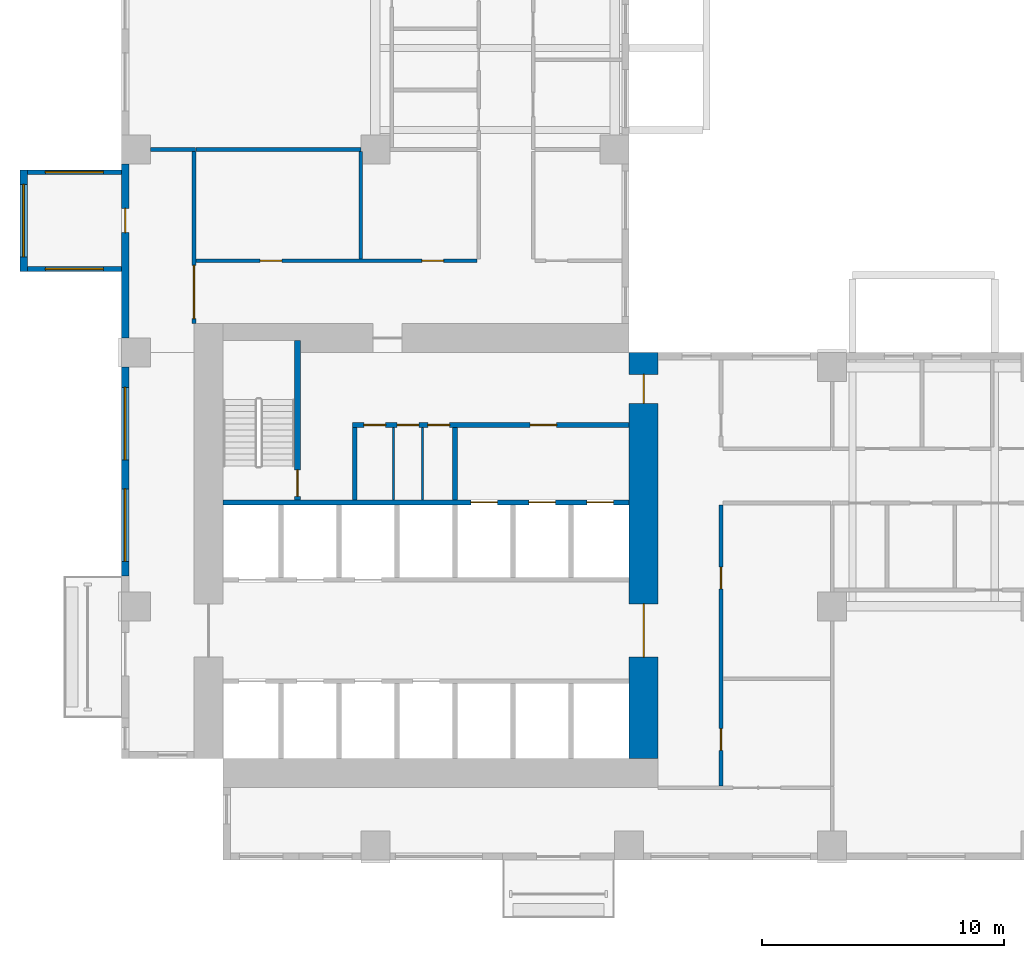
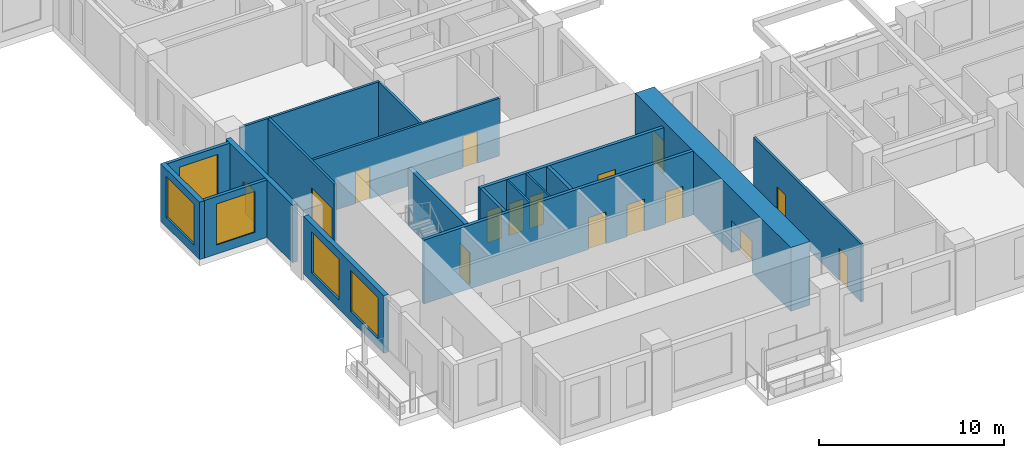
# One storey, part 3 of 14: 19 walls, 16 doors, 5 windows, 21 openings.
"""IFC4 building model written with IfcOpenShell, lengths in metres."""

from ifc_helpers import new_model, si_unit, direction, frame, frame_2d, origin, place, context, subcontext, project, spatial, rectangle, extrude, source, transform, mapped, material, layer, layer_set, type_object, element, fill, save


model = new_model("IFC4")

# Units and contexts
model_context = context("Model", 3, precision=1e-05, world=origin(), true_north=direction((0.0, 1.0)))
body_context = subcontext(model_context, "Body", "Model", "MODEL_VIEW")
ifc_project = project(units=[si_unit("LENGTHUNIT", "METRE"), si_unit("AREAUNIT", "SQUARE_METRE"), si_unit("VOLUMEUNIT", "CUBIC_METRE"), si_unit("PLANEANGLEUNIT", "RADIAN"), si_unit("MASSUNIT", "GRAM", prefix="KILO")], contexts=[model_context])

# Site, building, storey
site_placement = place(None, origin())
site = spatial("IfcSite", under=ifc_project, at=site_placement, CompositionType="ELEMENT")
building_placement = place(site_placement, origin())
building = spatial("IfcBuilding", under=site, at=building_placement, Name="Aurelian Terraces", CompositionType="ELEMENT")
storey_placement = place(building_placement, frame((0.0, 0.0, 86.7)))
storey = spatial("IfcBuildingStorey", under=building, at=storey_placement, Name="L18", CompositionType="ELEMENT", Elevation=86.7)

# Wall, openings, doors
ifc_material_1 = material(Name="Concrete fc' 83 MPa", Category="concrete")
ifc_layer_1 = layer(ifc_material_1, 1.2)
ifc_layer_set_1 = layer_set([ifc_layer_1], Name="CORE WALL 1200 FC83")
wall_type_1 = type_object("IfcWallType", Name="CORE WALL 1200 FC83", PredefinedType="SHEAR", material=ifc_layer_set_1)
shared_shape_1 = source(origin(), body_context, "Body", "SweptSolid", [
    extrude(rectangle(XDim=16.8, YDim=1.2, at=frame_2d((8.4, 0.0))), origin(), (0.0, 0.0, 1.0), 4.2),
])
wall_1_placement = place(storey_placement, frame((21.6, 4.2, 0.0), z_axis=(0.0, 0.0, 1.0), x_axis=(0.0, 1.0, 0.0)))
wall_1 = element("IfcWall", 1, at=wall_1_placement, inside=storey, type_object=wall_type_1, Name="Core wall E L18", PredefinedType="SHEAR", context=body_context, shape_type="MappedRepresentation", body=[
    mapped(shared_shape_1, transform((0.0, 0.0, 0.0), scale=1.0)),
])
shared_shape_2 = source(origin(), body_context, "Body", "SweptSolid", [
    extrude(rectangle(XDim=2.2, YDim=2.1, at=frame_2d((1.1, 1.05))), frame((0.0, 0.61, 0.0), z_axis=(0.0, -1.0, 0.0), x_axis=(1.0, 0.0, 0.0)), (0.0, 0.0, 1.0), 1.22),
])
opening_1_placement = place(wall_1_placement, frame((4.2, 0.0, 0.0)))
opening_1 = element("IfcOpeningElement", 2, at=opening_1_placement, cuts=wall_1, Name="Opening 62121", PredefinedType="OPENING", context=body_context, shape_type="MappedRepresentation", body=[
    mapped(shared_shape_2, transform((0.0, 0.0, 0.0), scale=1.0)),
])
shared_shape_3 = source(origin(), body_context, "Body", "SweptSolid", [
    extrude(rectangle(XDim=1.2, YDim=2.1, at=frame_2d((0.6, 1.05))), frame((0.0, 0.61, 0.0), z_axis=(0.0, -1.0, 0.0), x_axis=(1.0, 0.0, 0.0)), (0.0, 0.0, 1.0), 1.22),
])
opening_2_placement = place(wall_1_placement, frame((14.7, 0.0, 0.0)))
opening_2 = element("IfcOpeningElement", 3, at=opening_2_placement, cuts=wall_1, Name="Opening 62124", PredefinedType="OPENING", context=body_context, shape_type="MappedRepresentation", body=[
    mapped(shared_shape_3, transform((0.0, 0.0, 0.0), scale=1.0)),
])
ifc_material_2 = material(Name="Steel door leaf", Category="steel")
door_type_1 = type_object("IfcDoorType", Name="Core fire door 1200x2100", OperationType="SINGLE_SWING_LEFT", PredefinedType="DOOR", material=ifc_material_2)
shared_shape_4 = source(origin(), body_context, "Body", "SweptSolid", [
    extrude(rectangle(XDim=1.2, YDim=2.1, at=frame_2d((0.6, 1.05))), frame((0.0, 0.025, 0.0), z_axis=(0.0, -1.0, 0.0), x_axis=(1.0, 0.0, 0.0)), (0.0, 0.0, 1.0), 0.05),
])
door_1_placement = place(opening_2_placement, origin())
door_1 = element("IfcDoor", 4, at=door_1_placement, inside=storey, type_object=door_type_1, Name="Core door 62124", OperationType="SINGLE_SWING_LEFT", OverallHeight=2.1, OverallWidth=1.2, PredefinedType="DOOR", context=body_context, shape_type="MappedRepresentation", body=[
    mapped(shared_shape_4, transform((0.0, 0.0, 0.0), scale=1.0)),
])
fill(opening_2, door_1)
door_type_2 = type_object("IfcDoorType", Name="Core double door 2200x2100", OperationType="DOUBLE_DOOR_SINGLE_SWING", PredefinedType="DOOR", material=ifc_material_2)
shared_shape_5 = source(origin(), body_context, "Body", "SweptSolid", [
    extrude(rectangle(XDim=2.2, YDim=2.1, at=frame_2d((1.1, 1.05))), frame((0.0, 0.025, 0.0), z_axis=(0.0, -1.0, 0.0), x_axis=(1.0, 0.0, 0.0)), (0.0, 0.0, 1.0), 0.05),
])
door_2_placement = place(opening_1_placement, origin())
door_2 = element("IfcDoor", 5, at=door_2_placement, inside=storey, type_object=door_type_2, Name="Core door 62121", OperationType="DOUBLE_DOOR_SINGLE_SWING", OverallHeight=2.1, OverallWidth=2.2, PredefinedType="DOOR", context=body_context, shape_type="MappedRepresentation", body=[
    mapped(shared_shape_5, transform((0.0, 0.0, 0.0), scale=1.0)),
])
fill(opening_1, door_2)

# Wall, opening, door
ifc_material_3 = material(Name="Terracotta rainscreen cladding", Category="masonry")
ifc_layer_2 = layer(ifc_material_3, 0.3)
ifc_layer_set_2 = layer_set([ifc_layer_2], Name="EW-300")
wall_type_2 = type_object("IfcWallType", Name="EW-300", PredefinedType="STANDARD", material=ifc_layer_set_2)
shared_shape_6 = source(origin(), body_context, "Body", "SweptSolid", [
    extrude(rectangle(XDim=7.2, YDim=0.3, at=frame_2d((3.6, 0.0))), origin(), (0.0, 0.0, 1.0), 3.8),
])
wall_2_placement = place(storey_placement, frame((0.15, 28.8, 0.0), z_axis=(0.0, 0.0, 1.0), x_axis=(0.0, -1.0, 0.0)))
wall_2 = element("IfcWall", 6, at=wall_2_placement, inside=storey, type_object=wall_type_2, Name="External wall L18 F12.31", PredefinedType="STANDARD", context=body_context, shape_type="MappedRepresentation", body=[
    mapped(shared_shape_6, transform((0.0, 0.0, 0.0), scale=1.0)),
])
shared_shape_7 = source(origin(), body_context, "Body", "SweptSolid", [
    extrude(rectangle(XDim=1.0, YDim=2.1, at=frame_2d((0.5, 1.05))), frame((0.0, 0.16, 0.0), z_axis=(0.0, -1.0, 0.0), x_axis=(1.0, 0.0, 0.0)), (0.0, 0.0, 1.0), 0.32),
])
opening_3_placement = place(wall_2_placement, frame((1.84, 0.0, 0.0)))
opening_3 = element("IfcOpeningElement", 7, at=opening_3_placement, cuts=wall_2, Name="Opening 818003", PredefinedType="OPENING", context=body_context, shape_type="MappedRepresentation", body=[
    mapped(shared_shape_7, transform((0.0, 0.0, 0.0), scale=1.0)),
])
ifc_material_4 = material(Name="Timber door leaf", Category="wood")
door_type_3 = type_object("IfcDoorType", Name="Room door 1000x2100 left", OperationType="SINGLE_SWING_LEFT", PredefinedType="DOOR", material=ifc_material_4)
shared_shape_8 = source(origin(), body_context, "Body", "SweptSolid", [
    extrude(rectangle(XDim=1.0, YDim=2.1, at=frame_2d((0.5, 1.05))), frame((0.0, 0.025, 0.0), z_axis=(0.0, -1.0, 0.0), x_axis=(1.0, 0.0, 0.0)), (0.0, 0.0, 1.0), 0.05),
])
door_3_placement = place(opening_3_placement, origin())
door_3 = element("IfcDoor", 8, at=door_3_placement, inside=storey, type_object=door_type_3, Name="Door 818003", OperationType="SINGLE_SWING_LEFT", OverallHeight=2.1, OverallWidth=1.0, PredefinedType="DOOR", context=body_context, shape_type="MappedRepresentation", body=[
    mapped(shared_shape_8, transform((0.0, 0.0, 0.0), scale=1.0)),
])
fill(opening_3, door_3)

# Wall, opening, window
ifc_material_5 = material(Name="Concrete fc' 40 MPa", Category="concrete")
ifc_layer_3 = layer(ifc_material_5, 0.2)
ifc_layer_set_3 = layer_set([ifc_layer_3], Name="BOX BEARING WALL 200")
wall_type_3 = type_object("IfcWallType", Name="BOX BEARING WALL 200", PredefinedType="SOLIDWALL", material=ifc_layer_set_3)
shared_shape_9 = source(origin(), body_context, "Body", "SweptSolid", [
    extrude(rectangle(XDim=3.9, YDim=0.2, at=frame_2d((1.95, 0.0))), origin(), (0.0, 0.0, 1.0), 3.79),
])
wall_3_placement = place(storey_placement, frame((0.0, 28.46, 0.0), z_axis=(0.0, 0.0, 1.0), x_axis=(-1.0, 0.0, 0.0)))
wall_3 = element("IfcWall", 9, at=wall_3_placement, inside=storey, type_object=wall_type_3, Name="Box return L18 J24.1", PredefinedType="SOLIDWALL", context=body_context, shape_type="MappedRepresentation", body=[
    mapped(shared_shape_9, transform((0.0, 0.0, 0.0), scale=1.0)),
])
shared_shape_10 = source(origin(), body_context, "Body", "SweptSolid", [
    extrude(rectangle(XDim=2.4, YDim=2.7, at=frame_2d((1.2, 1.35))), frame((0.0, 0.11, 0.0), z_axis=(0.0, -1.0, 0.0), x_axis=(1.0, 0.0, 0.0)), (0.0, 0.0, 1.0), 0.22),
])
opening_4_placement = place(wall_3_placement, frame((0.75, 0.0, 0.6)))
opening_4 = element("IfcOpeningElement", 10, at=opening_4_placement, cuts=wall_3, Name="Opening W2427", PredefinedType="OPENING", context=body_context, shape_type="MappedRepresentation", body=[
    mapped(shared_shape_10, transform((0.0, 0.0, 0.0), scale=1.0)),
])
ifc_material_6 = material(Name="Clear glazing", Category="glass")
window_type_1 = type_object("IfcWindowType", Name="W-2400x2700", PartitioningType="SINGLE_PANEL", PredefinedType="WINDOW", material=ifc_material_6)
shared_shape_11 = source(origin(), body_context, "Body", "SweptSolid", [
    extrude(rectangle(XDim=2.4, YDim=2.7, at=frame_2d((1.2, 1.35))), frame((0.0, 0.03, 0.0), z_axis=(0.0, -1.0, 0.0), x_axis=(1.0, 0.0, 0.0)), (0.0, 0.0, 1.0), 0.06),
])
window_1_placement = place(opening_4_placement, origin())
window_1 = element("IfcWindow", 11, at=window_1_placement, inside=storey, type_object=window_type_1, Name="Window L18 J24-S1", OverallHeight=2.7, OverallWidth=2.4, PartitioningType="SINGLE_PANEL", PredefinedType="WINDOW", context=body_context, shape_type="MappedRepresentation", body=[
    mapped(shared_shape_11, transform((0.0, 0.0, 0.0), scale=1.0)),
])
fill(opening_4, window_1)

wall_4_placement = place(storey_placement, frame((0.0, 24.46, 0.0), z_axis=(0.0, 0.0, 1.0), x_axis=(-1.0, 0.0, 0.0)))
wall_4 = element("IfcWall", 12, at=wall_4_placement, inside=storey, type_object=wall_type_3, Name="Box return L18 J24.2", PredefinedType="SOLIDWALL", context=body_context, shape_type="MappedRepresentation", body=[
    mapped(shared_shape_9, transform((0.0, 0.0, 0.0), scale=1.0)),
])
opening_5_placement = place(wall_4_placement, frame((0.75, 0.0, 0.6)))
opening_5 = element("IfcOpeningElement", 13, at=opening_5_placement, cuts=wall_4, Name="Opening W2427", PredefinedType="OPENING", context=body_context, shape_type="MappedRepresentation", body=[
    mapped(shared_shape_10, transform((0.0, 0.0, 0.0), scale=1.0)),
])
window_2_placement = place(opening_5_placement, origin())
window_2 = element("IfcWindow", 14, at=window_2_placement, inside=storey, type_object=window_type_1, Name="Window L18 J24-S2", OverallHeight=2.7, OverallWidth=2.4, PartitioningType="SINGLE_PANEL", PredefinedType="WINDOW", context=body_context, shape_type="MappedRepresentation", body=[
    mapped(shared_shape_11, transform((0.0, 0.0, 0.0), scale=1.0)),
])
fill(opening_5, window_2)

ifc_layer_4 = layer(ifc_material_5, 0.3)
ifc_layer_set_4 = layer_set([ifc_layer_4], Name="BOX BEARING WALL 300")
wall_type_4 = type_object("IfcWallType", Name="BOX BEARING WALL 300", PredefinedType="SOLIDWALL", material=ifc_layer_set_4)
shared_shape_12 = source(origin(), body_context, "Body", "SweptSolid", [
    extrude(rectangle(XDim=4.2, YDim=0.3, at=frame_2d((2.1, 0.0))), origin(), (0.0, 0.0, 1.0), 3.79),
])
wall_5_placement = place(storey_placement, frame((-4.05, 28.56, 0.0), z_axis=(0.0, 0.0, 1.0), x_axis=(0.0, -1.0, 0.0)))
wall_5 = element("IfcWall", 15, at=wall_5_placement, inside=storey, type_object=wall_type_4, Name="Box wall L18 J24", PredefinedType="SOLIDWALL", context=body_context, shape_type="MappedRepresentation", body=[
    mapped(shared_shape_12, transform((0.0, 0.0, 0.0), scale=1.0)),
])
shared_shape_13 = source(origin(), body_context, "Body", "SweptSolid", [
    extrude(rectangle(XDim=3.0, YDim=2.7, at=frame_2d((1.5, 1.35))), frame((0.0, 0.16, 0.0), z_axis=(0.0, -1.0, 0.0), x_axis=(1.0, 0.0, 0.0)), (0.0, 0.0, 1.0), 0.32),
])
opening_6_placement = place(wall_5_placement, frame((0.6, 0.0, 0.6)))
opening_6 = element("IfcOpeningElement", 16, at=opening_6_placement, cuts=wall_5, Name="Opening W3027", PredefinedType="OPENING", context=body_context, shape_type="MappedRepresentation", body=[
    mapped(shared_shape_13, transform((0.0, 0.0, 0.0), scale=1.0)),
])
window_type_2 = type_object("IfcWindowType", Name="W-3000x2700", PartitioningType="SINGLE_PANEL", PredefinedType="WINDOW", material=ifc_material_6)
shared_shape_14 = source(origin(), body_context, "Body", "SweptSolid", [
    extrude(rectangle(XDim=3.0, YDim=2.7, at=frame_2d((1.5, 1.35))), frame((0.0, 0.03, 0.0), z_axis=(0.0, -1.0, 0.0), x_axis=(1.0, 0.0, 0.0)), (0.0, 0.0, 1.0), 0.06),
])
window_3_placement = place(opening_6_placement, origin())
window_3 = element("IfcWindow", 17, at=window_3_placement, inside=storey, type_object=window_type_2, Name="Window L18 J24-F1", OverallHeight=2.7, OverallWidth=3.0, PartitioningType="SINGLE_PANEL", PredefinedType="WINDOW", context=body_context, shape_type="MappedRepresentation", body=[
    mapped(shared_shape_14, transform((0.0, 0.0, 0.0), scale=1.0)),
])
fill(opening_6, window_3)

# Wall, openings, windows
shared_shape_15 = source(origin(), body_context, "Body", "SweptSolid", [
    extrude(rectangle(XDim=8.64, YDim=0.3, at=frame_2d((4.32, 0.0))), origin(), (0.0, 0.0, 1.0), 3.8),
])
wall_6_placement = place(storey_placement, frame((0.15, 20.4, 0.0), z_axis=(0.0, 0.0, 1.0), x_axis=(0.0, -1.0, 0.0)))
wall_6 = element("IfcWall", 18, at=wall_6_placement, inside=storey, type_object=wall_type_2, Name="External wall L18 F12.31", PredefinedType="STANDARD", context=body_context, shape_type="MappedRepresentation", body=[
    mapped(shared_shape_15, transform((0.0, 0.0, 0.0), scale=1.0)),
])
opening_7_placement = place(wall_6_placement, frame((0.84, 0.0, 0.6)))
opening_7 = element("IfcOpeningElement", 19, at=opening_7_placement, cuts=wall_6, Name="Opening W3027", PredefinedType="OPENING", context=body_context, shape_type="MappedRepresentation", body=[
    mapped(shared_shape_13, transform((0.0, 0.0, 0.0), scale=1.0)),
])
opening_8_placement = place(wall_6_placement, frame((5.04, 0.0, 0.6)))
opening_8 = element("IfcOpeningElement", 20, at=opening_8_placement, cuts=wall_6, Name="Opening W3027", PredefinedType="OPENING", context=body_context, shape_type="MappedRepresentation", body=[
    mapped(shared_shape_13, transform((0.0, 0.0, 0.0), scale=1.0)),
])
window_4_placement = place(opening_7_placement, origin())
window_4 = element("IfcWindow", 21, at=window_4_placement, inside=storey, type_object=window_type_2, Name="Window L18 L18-F12-31-8", OverallHeight=2.7, OverallWidth=3.0, PartitioningType="SINGLE_PANEL", PredefinedType="WINDOW", context=body_context, shape_type="MappedRepresentation", body=[
    mapped(shared_shape_14, transform((0.0, 0.0, 0.0), scale=1.0)),
])
fill(opening_7, window_4)
window_5_placement = place(opening_8_placement, origin())
window_5 = element("IfcWindow", 22, at=window_5_placement, inside=storey, type_object=window_type_2, Name="Window L18 L18-F12-31-9", OverallHeight=2.7, OverallWidth=3.0, PartitioningType="SINGLE_PANEL", PredefinedType="WINDOW", context=body_context, shape_type="MappedRepresentation", body=[
    mapped(shared_shape_14, transform((0.0, 0.0, 0.0), scale=1.0)),
])
fill(opening_8, window_5)

# Wall, openings, doors
ifc_layer_5 = layer(ifc_material_5, 0.2)
ifc_layer_set_5 = layer_set([ifc_layer_5], Name="Lift shaft wall 200")
wall_type_5 = type_object("IfcWallType", Name="Lift shaft wall 200", PredefinedType="SOLIDWALL", material=ifc_layer_set_5)
shared_shape_16 = source(origin(), body_context, "Body", "SweptSolid", [
    extrude(rectangle(XDim=16.8, YDim=0.2, at=frame_2d((8.4, 0.0))), origin(), (0.0, 0.0, 1.0), 4.2),
])
wall_7_placement = place(storey_placement, frame((4.2, 14.8, 0.0), z_axis=(0.0, 0.0, 1.0), x_axis=(1.0, 0.0, 0.0)))
wall_7 = element("IfcWall", 23, at=wall_7_placement, inside=storey, type_object=wall_type_5, Name="L18 core wall CF-BB1", PredefinedType="SOLIDWALL", context=body_context, shape_type="MappedRepresentation", body=[
    mapped(shared_shape_16, transform((0.0, 0.0, 0.0), scale=1.0)),
])
shared_shape_17 = source(origin(), body_context, "Body", "SweptSolid", [
    extrude(rectangle(XDim=1.1, YDim=2.1, at=frame_2d((0.55, 1.05))), frame((0.0, 0.11, 0.0), z_axis=(0.0, -1.0, 0.0), x_axis=(1.0, 0.0, 0.0)), (0.0, 0.0, 1.0), 0.22),
])
opening_9_placement = place(wall_7_placement, frame((10.25, 0.0, 0.0)))
opening_9 = element("IfcOpeningElement", 24, at=opening_9_placement, cuts=wall_7, Name="Opening 62107", PredefinedType="OPENING", context=body_context, shape_type="MappedRepresentation", body=[
    mapped(shared_shape_17, transform((0.0, 0.0, 0.0), scale=1.0)),
])
opening_10_placement = place(wall_7_placement, frame((12.65, 0.0, 0.0)))
opening_10 = element("IfcOpeningElement", 25, at=opening_10_placement, cuts=wall_7, Name="Opening 62108", PredefinedType="OPENING", context=body_context, shape_type="MappedRepresentation", body=[
    mapped(shared_shape_17, transform((0.0, 0.0, 0.0), scale=1.0)),
])
opening_11_placement = place(wall_7_placement, frame((15.05, 0.0, 0.0)))
opening_11 = element("IfcOpeningElement", 26, at=opening_11_placement, cuts=wall_7, Name="Opening 62109", PredefinedType="OPENING", context=body_context, shape_type="MappedRepresentation", body=[
    mapped(shared_shape_17, transform((0.0, 0.0, 0.0), scale=1.0)),
])
ifc_material_7 = material(Name="Stainless steel", Category="steel")
door_type_4 = type_object("IfcDoorType", Name="Lift landing door 1100x2100", OperationType="SLIDING_TO_LEFT", PredefinedType="DOOR", material=ifc_material_7)
shared_shape_18 = source(origin(), body_context, "Body", "SweptSolid", [
    extrude(rectangle(XDim=1.1, YDim=2.1, at=frame_2d((0.55, 1.05))), frame((0.0, 0.025, 0.0), z_axis=(0.0, -1.0, 0.0), x_axis=(1.0, 0.0, 0.0)), (0.0, 0.0, 1.0), 0.05),
])
door_4_placement = place(opening_9_placement, origin())
door_4 = element("IfcDoor", 27, at=door_4_placement, inside=storey, type_object=door_type_4, Name="Lift landing door F1 L18", OperationType="SLIDING_TO_LEFT", OverallHeight=2.1, OverallWidth=1.1, PredefinedType="DOOR", context=body_context, shape_type="MappedRepresentation", body=[
    mapped(shared_shape_18, transform((0.0, 0.0, 0.0), scale=1.0)),
])
fill(opening_9, door_4)
door_5_placement = place(opening_10_placement, origin())
door_5 = element("IfcDoor", 28, at=door_5_placement, inside=storey, type_object=door_type_4, Name="Lift landing door F2 L18", OperationType="SLIDING_TO_LEFT", OverallHeight=2.1, OverallWidth=1.1, PredefinedType="DOOR", context=body_context, shape_type="MappedRepresentation", body=[
    mapped(shared_shape_18, transform((0.0, 0.0, 0.0), scale=1.0)),
])
fill(opening_10, door_5)
door_6_placement = place(opening_11_placement, origin())
door_6 = element("IfcDoor", 29, at=door_6_placement, inside=storey, type_object=door_type_4, Name="Lift landing door F3 L18", OperationType="SLIDING_TO_LEFT", OverallHeight=2.1, OverallWidth=1.1, PredefinedType="DOOR", context=body_context, shape_type="MappedRepresentation", body=[
    mapped(shared_shape_18, transform((0.0, 0.0, 0.0), scale=1.0)),
])
fill(opening_11, door_6)

# Walls
ifc_material_8 = material(Name="Gypsum board on steel studs", Category="steel")
ifc_layer_6 = layer(ifc_material_8, 0.2)
ifc_layer_set_6 = layer_set([ifc_layer_6], Name="Core partition 200")
wall_type_6 = type_object("IfcWallType", Name="Core partition 200", PredefinedType="PARTITIONING", material=ifc_layer_set_6)
shared_shape_19 = source(origin(), body_context, "Body", "SweptSolid", [
    extrude(rectangle(XDim=3.0, YDim=0.2, at=frame_2d((1.5, 0.0))), origin(), (0.0, 0.0, 1.0), 3.8),
])
for number, where, z_axis, x_axis, name in (
    (30, (9.65, 14.9, 0.0), (0.0, 0.0, 1.0), (0.0, 1.0, 0.0), "L18 core wall CP-VEST"),
    (31, (13.8, 14.9, 0.0), (0.0, 0.0, 1.0), (0.0, 1.0, 0.0), "L18 core wall CP-FFL"),
):
    element("IfcWall", number, at=place(storey_placement, frame(where, z_axis=z_axis, x_axis=x_axis)), inside=storey, type_object=wall_type_6, Name=name, PredefinedType="PARTITIONING", context=body_context, shape_type="MappedRepresentation", body=[
        mapped(shared_shape_19, transform((0.0, 0.0, 0.0), scale=1.0)),
    ])
ifc_layer_7 = layer(ifc_material_8, 0.1)
ifc_layer_set_7 = layer_set([ifc_layer_7], Name="Core partition 100")
wall_type_7 = type_object("IfcWallType", Name="Core partition 100", PredefinedType="PARTITIONING", material=ifc_layer_set_7)
shared_shape_20 = source(origin(), body_context, "Body", "SweptSolid", [
    extrude(rectangle(XDim=3.0, YDim=0.1, at=frame_2d((1.5, 0.0))), origin(), (0.0, 0.0, 1.0), 3.8),
])
for number, where, z_axis, x_axis, name in (
    (32, (11.25, 14.9, 0.0), (0.0, 0.0, 1.0), (0.0, 1.0, 0.0), "L18 core wall CP-SV1"),
    (33, (12.45, 14.9, 0.0), (0.0, 0.0, 1.0), (0.0, 1.0, 0.0), "L18 core wall CP-SV2"),
):
    element("IfcWall", number, at=place(storey_placement, frame(where, z_axis=z_axis, x_axis=x_axis)), inside=storey, type_object=wall_type_7, Name=name, PredefinedType="PARTITIONING", context=body_context, shape_type="MappedRepresentation", body=[
        mapped(shared_shape_20, transform((0.0, 0.0, 0.0), scale=1.0)),
    ])

# Wall, opening, door
ifc_layer_8 = layer(ifc_material_5, 0.25)
ifc_layer_set_8 = layer_set([ifc_layer_8], Name="Stair enclosure wall 250")
wall_type_8 = type_object("IfcWallType", Name="Stair enclosure wall 250", PredefinedType="SOLIDWALL", material=ifc_layer_set_8)
shared_shape_21 = source(origin(), body_context, "Body", "SweptSolid", [
    extrude(rectangle(XDim=6.6, YDim=0.25, at=frame_2d((3.3, 0.0))), origin(), (0.0, 0.0, 1.0), 3.8),
])
wall_8_placement = place(storey_placement, frame((7.275, 14.9, 0.0), z_axis=(0.0, 0.0, 1.0), x_axis=(0.0, 1.0, 0.0)))
wall_8 = element("IfcWall", 34, at=wall_8_placement, inside=storey, type_object=wall_type_8, Name="L18 core wall ST-S1-E", PredefinedType="SOLIDWALL", context=body_context, shape_type="MappedRepresentation", body=[
    mapped(shared_shape_21, transform((0.0, 0.0, 0.0), scale=1.0)),
])
shared_shape_22 = source(origin(), body_context, "Body", "SweptSolid", [
    extrude(rectangle(XDim=1.1, YDim=2.1, at=frame_2d((0.55, 1.05))), frame((0.0, 0.135, 0.0), z_axis=(0.0, -1.0, 0.0), x_axis=(1.0, 0.0, 0.0)), (0.0, 0.0, 1.0), 0.27),
])
opening_12_placement = place(wall_8_placement, frame((0.15, 0.0, 0.0)))
opening_12 = element("IfcOpeningElement", 35, at=opening_12_placement, cuts=wall_8, Name="Opening 62110", PredefinedType="OPENING", context=body_context, shape_type="MappedRepresentation", body=[
    mapped(shared_shape_22, transform((0.0, 0.0, 0.0), scale=1.0)),
])
door_type_5 = type_object("IfcDoorType", Name="Core fire door 1100x2100 right", OperationType="SINGLE_SWING_RIGHT", PredefinedType="DOOR", material=ifc_material_2)
door_7_placement = place(opening_12_placement, origin())
door_7 = element("IfcDoor", 36, at=door_7_placement, inside=storey, type_object=door_type_5, Name="Stair door 62110", OperationType="SINGLE_SWING_RIGHT", OverallHeight=2.1, OverallWidth=1.1, PredefinedType="DOOR", context=body_context, shape_type="MappedRepresentation", body=[
    mapped(shared_shape_18, transform((0.0, 0.0, 0.0), scale=1.0)),
])
fill(opening_12, door_7)

# Wall, openings, doors
shared_shape_23 = source(origin(), body_context, "Body", "SweptSolid", [
    extrude(rectangle(XDim=11.45, YDim=0.2, at=frame_2d((5.725, 0.0))), origin(), (0.0, 0.0, 1.0), 3.8),
])
wall_9_placement = place(storey_placement, frame((9.55, 18.0, 0.0), z_axis=(0.0, 0.0, 1.0), x_axis=(1.0, 0.0, 0.0)))
wall_9 = element("IfcWall", 37, at=wall_9_placement, inside=storey, type_object=wall_type_6, Name="L18 core wall CP-NORTH", PredefinedType="PARTITIONING", context=body_context, shape_type="MappedRepresentation", body=[
    mapped(shared_shape_23, transform((0.0, 0.0, 0.0), scale=1.0)),
])
shared_shape_24 = source(origin(), body_context, "Body", "SweptSolid", [
    extrude(rectangle(XDim=0.9, YDim=2.1, at=frame_2d((0.45, 1.05))), frame((0.0, 0.11, 0.0), z_axis=(0.0, -1.0, 0.0), x_axis=(1.0, 0.0, 0.0)), (0.0, 0.0, 1.0), 0.22),
])
opening_13_placement = place(wall_9_placement, frame((0.475, 0.0, 0.0)))
opening_13 = element("IfcOpeningElement", 38, at=opening_13_placement, cuts=wall_9, Name="Opening 62111", PredefinedType="OPENING", context=body_context, shape_type="MappedRepresentation", body=[
    mapped(shared_shape_24, transform((0.0, 0.0, 0.0), scale=1.0)),
])
opening_14_placement = place(wall_9_placement, frame((1.85, 0.0, 0.0)))
opening_14 = element("IfcOpeningElement", 39, at=opening_14_placement, cuts=wall_9, Name="Opening 62112", PredefinedType="OPENING", context=body_context, shape_type="MappedRepresentation", body=[
    mapped(shared_shape_24, transform((0.0, 0.0, 0.0), scale=1.0)),
])
opening_15_placement = place(wall_9_placement, frame((3.125, 0.0, 0.0)))
opening_15 = element("IfcOpeningElement", 40, at=opening_15_placement, cuts=wall_9, Name="Opening 62113", PredefinedType="OPENING", context=body_context, shape_type="MappedRepresentation", body=[
    mapped(shared_shape_24, transform((0.0, 0.0, 0.0), scale=1.0)),
])
opening_16_placement = place(wall_9_placement, frame((7.35, 0.0, 0.0)))
opening_16 = element("IfcOpeningElement", 41, at=opening_16_placement, cuts=wall_9, Name="Opening 62114", PredefinedType="OPENING", context=body_context, shape_type="MappedRepresentation", body=[
    mapped(shared_shape_17, transform((0.0, 0.0, 0.0), scale=1.0)),
])
door_type_6 = type_object("IfcDoorType", Name="Core service door 900x2100", OperationType="SINGLE_SWING_LEFT", PredefinedType="DOOR", material=ifc_material_2)
shared_shape_25 = source(origin(), body_context, "Body", "SweptSolid", [
    extrude(rectangle(XDim=0.9, YDim=2.1, at=frame_2d((0.45, 1.05))), frame((0.0, 0.025, 0.0), z_axis=(0.0, -1.0, 0.0), x_axis=(1.0, 0.0, 0.0)), (0.0, 0.0, 1.0), 0.05),
])
door_8_placement = place(opening_13_placement, origin())
door_8 = element("IfcDoor", 42, at=door_8_placement, inside=storey, type_object=door_type_6, Name="Room door 62111", OperationType="SINGLE_SWING_LEFT", OverallHeight=2.1, OverallWidth=0.9, PredefinedType="DOOR", context=body_context, shape_type="MappedRepresentation", body=[
    mapped(shared_shape_25, transform((0.0, 0.0, 0.0), scale=1.0)),
])
fill(opening_13, door_8)
door_type_7 = type_object("IfcDoorType", Name="Core riser door 900x2100 right", OperationType="SINGLE_SWING_RIGHT", PredefinedType="DOOR", material=ifc_material_2)
door_9_placement = place(opening_14_placement, origin())
door_9 = element("IfcDoor", 43, at=door_9_placement, inside=storey, type_object=door_type_7, Name="Room door 62112", OperationType="SINGLE_SWING_RIGHT", OverallHeight=2.1, OverallWidth=0.9, PredefinedType="DOOR", context=body_context, shape_type="MappedRepresentation", body=[
    mapped(shared_shape_25, transform((0.0, 0.0, 0.0), scale=1.0)),
])
fill(opening_14, door_9)
door_10_placement = place(opening_15_placement, origin())
door_10 = element("IfcDoor", 44, at=door_10_placement, inside=storey, type_object=door_type_6, Name="Room door 62113", OperationType="SINGLE_SWING_LEFT", OverallHeight=2.1, OverallWidth=0.9, PredefinedType="DOOR", context=body_context, shape_type="MappedRepresentation", body=[
    mapped(shared_shape_25, transform((0.0, 0.0, 0.0), scale=1.0)),
])
fill(opening_15, door_10)
door_11_placement = place(opening_16_placement, origin())
door_11 = element("IfcDoor", 45, at=door_11_placement, inside=storey, type_object=door_type_5, Name="Ff lobby door 62114", OperationType="SINGLE_SWING_RIGHT", OverallHeight=2.1, OverallWidth=1.1, PredefinedType="DOOR", context=body_context, shape_type="MappedRepresentation", body=[
    mapped(shared_shape_18, transform((0.0, 0.0, 0.0), scale=1.0)),
])
fill(opening_16, door_11)

# Walls
ifc_layer_9 = layer(ifc_material_8, 0.15)
ifc_layer_set_9 = layer_set([ifc_layer_9], Name="Partition 150")
wall_type_9 = type_object("IfcWallType", Name="Partition 150", PredefinedType="PARTITIONING", material=ifc_layer_set_9)
shared_shape_26 = source(origin(), body_context, "Body", "SweptSolid", [
    extrude(rectangle(XDim=6.826, YDim=0.15, at=frame_2d((3.413, 0.0))), origin(), (0.0, 0.0, 1.0), 3.8),
])
wall_10_placement = place(storey_placement, frame((9.901, 29.4, 0.0), z_axis=(0.0, 0.0, 1.0), x_axis=(-1.0, 0.0, 0.0)))
element("IfcWall", 46, at=wall_10_placement, inside=storey, type_object=wall_type_9, Name="Partition", PredefinedType="PARTITIONING", context=body_context, shape_type="MappedRepresentation", body=[
    mapped(shared_shape_26, transform((0.0, 0.0, 0.0), scale=1.0)),
])
shared_shape_27 = source(origin(), body_context, "Body", "SweptSolid", [
    extrude(rectangle(XDim=1.856, YDim=0.15, at=frame_2d((0.928, 0.0))), origin(), (0.0, 0.0, 1.0), 3.8),
])
wall_11_placement = place(storey_placement, frame((3.055, 29.4, 0.0), z_axis=(0.0, 0.0, 1.0), x_axis=(-1.0, 0.0, 0.0)))
element("IfcWall", 47, at=wall_11_placement, inside=storey, type_object=wall_type_9, Name="Partition", PredefinedType="PARTITIONING", context=body_context, shape_type="MappedRepresentation", body=[
    mapped(shared_shape_27, transform((0.0, 0.0, 0.0), scale=1.0)),
])

# Wall, opening, door
shared_shape_28 = source(origin(), body_context, "Body", "SweptSolid", [
    extrude(rectangle(XDim=7.125, YDim=0.15, at=frame_2d((3.5625, 0.0))), origin(), (0.0, 0.0, 1.0), 3.8),
])
wall_12_placement = place(storey_placement, frame((3.0, 29.325, 0.0), z_axis=(0.0, 0.0, 1.0), x_axis=(0.0, -1.0, 0.0)))
wall_12 = element("IfcWall", 48, at=wall_12_placement, inside=storey, type_object=wall_type_9, Name="Partition", PredefinedType="PARTITIONING", context=body_context, shape_type="MappedRepresentation", body=[
    mapped(shared_shape_28, transform((0.0, 0.0, 0.0), scale=1.0)),
])
shared_shape_29 = source(origin(), body_context, "Body", "SweptSolid", [
    extrude(rectangle(XDim=2.2, YDim=2.1, at=frame_2d((1.1, 1.05))), frame((0.0, 0.085, 0.0), z_axis=(0.0, -1.0, 0.0), x_axis=(1.0, 0.0, 0.0)), (0.0, 0.0, 1.0), 0.17),
])
opening_17_placement = place(wall_12_placement, frame((4.725, 0.0, 0.0)))
opening_17 = element("IfcOpeningElement", 49, at=opening_17_placement, cuts=wall_12, Name="Opening 718031", PredefinedType="OPENING", context=body_context, shape_type="MappedRepresentation", body=[
    mapped(shared_shape_29, transform((0.0, 0.0, 0.0), scale=1.0)),
])
door_type_8 = type_object("IfcDoorType", Name="Double room door 2200x2100", OperationType="DOUBLE_DOOR_SINGLE_SWING", PredefinedType="DOOR", material=ifc_material_4)
door_12_placement = place(opening_17_placement, origin())
door_12 = element("IfcDoor", 50, at=door_12_placement, inside=storey, type_object=door_type_8, Name="Door 718031", OperationType="DOUBLE_DOOR_SINGLE_SWING", OverallHeight=2.1, OverallWidth=2.2, PredefinedType="DOOR", context=body_context, shape_type="MappedRepresentation", body=[
    mapped(shared_shape_5, transform((0.0, 0.0, 0.0), scale=1.0)),
])
fill(opening_17, door_12)

# Wall
shared_shape_30 = source(origin(), body_context, "Body", "SweptSolid", [
    extrude(rectangle(XDim=4.45, YDim=0.15, at=frame_2d((2.225, 0.0))), origin(), (0.0, 0.0, 1.0), 3.8),
])
wall_13_placement = place(storey_placement, frame((9.9, 24.875, 0.0), z_axis=(0.0, 0.0, 1.0), x_axis=(0.0, 1.0, 0.0)))
element("IfcWall", 51, at=wall_13_placement, inside=storey, type_object=wall_type_9, Name="Partition", PredefinedType="PARTITIONING", context=body_context, shape_type="MappedRepresentation", body=[
    mapped(shared_shape_30, transform((0.0, 0.0, 0.0), scale=1.0)),
])

# Wall, openings, doors
shared_shape_31 = source(origin(), body_context, "Body", "SweptSolid", [
    extrude(rectangle(XDim=11.625, YDim=0.15, at=frame_2d((5.8125, 0.0))), origin(), (0.0, 0.0, 1.0), 3.8),
])
wall_14_placement = place(storey_placement, frame((24.8, 14.7, 0.0), z_axis=(0.0, 0.0, 1.0), x_axis=(0.0, -1.0, 0.0)))
wall_14 = element("IfcWall", 52, at=wall_14_placement, inside=storey, type_object=wall_type_9, Name="Partition", PredefinedType="PARTITIONING", context=body_context, shape_type="MappedRepresentation", body=[
    mapped(shared_shape_31, transform((0.0, 0.0, 0.0), scale=1.0)),
])
shared_shape_32 = source(origin(), body_context, "Body", "SweptSolid", [
    extrude(rectangle(XDim=0.9, YDim=2.1, at=frame_2d((0.45, 1.05))), frame((0.0, 0.085, 0.0), z_axis=(0.0, -1.0, 0.0), x_axis=(1.0, 0.0, 0.0)), (0.0, 0.0, 1.0), 0.17),
])
opening_18_placement = place(wall_14_placement, frame((9.2625, 0.0, 0.0)))
opening_18 = element("IfcOpeningElement", 53, at=opening_18_placement, cuts=wall_14, Name="Opening 718001", PredefinedType="OPENING", context=body_context, shape_type="MappedRepresentation", body=[
    mapped(shared_shape_32, transform((0.0, 0.0, 0.0), scale=1.0)),
])
opening_19_placement = place(wall_14_placement, frame((2.575, 0.0, 0.0)))
opening_19 = element("IfcOpeningElement", 54, at=opening_19_placement, cuts=wall_14, Name="Opening 718002", PredefinedType="OPENING", context=body_context, shape_type="MappedRepresentation", body=[
    mapped(shared_shape_32, transform((0.0, 0.0, 0.0), scale=1.0)),
])
door_type_9 = type_object("IfcDoorType", Name="Room door 900x2100 left", OperationType="SINGLE_SWING_LEFT", PredefinedType="DOOR", material=ifc_material_4)
door_13_placement = place(opening_18_placement, origin())
door_13 = element("IfcDoor", 55, at=door_13_placement, inside=storey, type_object=door_type_9, Name="Door 718001", OperationType="SINGLE_SWING_LEFT", OverallHeight=2.1, OverallWidth=0.9, PredefinedType="DOOR", context=body_context, shape_type="MappedRepresentation", body=[
    mapped(shared_shape_25, transform((0.0, 0.0, 0.0), scale=1.0)),
])
fill(opening_18, door_13)
door_type_10 = type_object("IfcDoorType", Name="Room door 900x2100 right", OperationType="SINGLE_SWING_RIGHT", PredefinedType="DOOR", material=ifc_material_4)
door_14_placement = place(opening_19_placement, origin())
door_14 = element("IfcDoor", 56, at=door_14_placement, inside=storey, type_object=door_type_10, Name="Door 718002", OperationType="SINGLE_SWING_RIGHT", OverallHeight=2.1, OverallWidth=0.9, PredefinedType="DOOR", context=body_context, shape_type="MappedRepresentation", body=[
    mapped(shared_shape_25, transform((0.0, 0.0, 0.0), scale=1.0)),
])
fill(opening_19, door_14)

wall_15_placement = place(storey_placement, frame((3.075, 24.8, 0.0), z_axis=(0.0, 0.0, 1.0), x_axis=(1.0, 0.0, 0.0)))
wall_15 = element("IfcWall", 57, at=wall_15_placement, inside=storey, type_object=wall_type_9, Name="Partition", PredefinedType="PARTITIONING", context=body_context, shape_type="MappedRepresentation", body=[
    mapped(shared_shape_31, transform((0.0, 0.0, 0.0), scale=1.0)),
])
opening_20_placement = place(wall_15_placement, frame((2.6625, 0.0, 0.0)))
opening_20 = element("IfcOpeningElement", 58, at=opening_20_placement, cuts=wall_15, Name="Opening 718028", PredefinedType="OPENING", context=body_context, shape_type="MappedRepresentation", body=[
    mapped(shared_shape_32, transform((0.0, 0.0, 0.0), scale=1.0)),
])
opening_21_placement = place(wall_15_placement, frame((9.35, 0.0, 0.0)))
opening_21 = element("IfcOpeningElement", 59, at=opening_21_placement, cuts=wall_15, Name="Opening 718029", PredefinedType="OPENING", context=body_context, shape_type="MappedRepresentation", body=[
    mapped(shared_shape_32, transform((0.0, 0.0, 0.0), scale=1.0)),
])
door_15_placement = place(opening_20_placement, origin())
door_15 = element("IfcDoor", 60, at=door_15_placement, inside=storey, type_object=door_type_9, Name="Door 718028", OperationType="SINGLE_SWING_LEFT", OverallHeight=2.1, OverallWidth=0.9, PredefinedType="DOOR", context=body_context, shape_type="MappedRepresentation", body=[
    mapped(shared_shape_25, transform((0.0, 0.0, 0.0), scale=1.0)),
])
fill(opening_20, door_15)
door_16_placement = place(opening_21_placement, origin())
door_16 = element("IfcDoor", 61, at=door_16_placement, inside=storey, type_object=door_type_10, Name="Door 718029", OperationType="SINGLE_SWING_RIGHT", OverallHeight=2.1, OverallWidth=0.9, PredefinedType="DOOR", context=body_context, shape_type="MappedRepresentation", body=[
    mapped(shared_shape_25, transform((0.0, 0.0, 0.0), scale=1.0)),
])
fill(opening_21, door_16)

save(model, "model.ifc")
